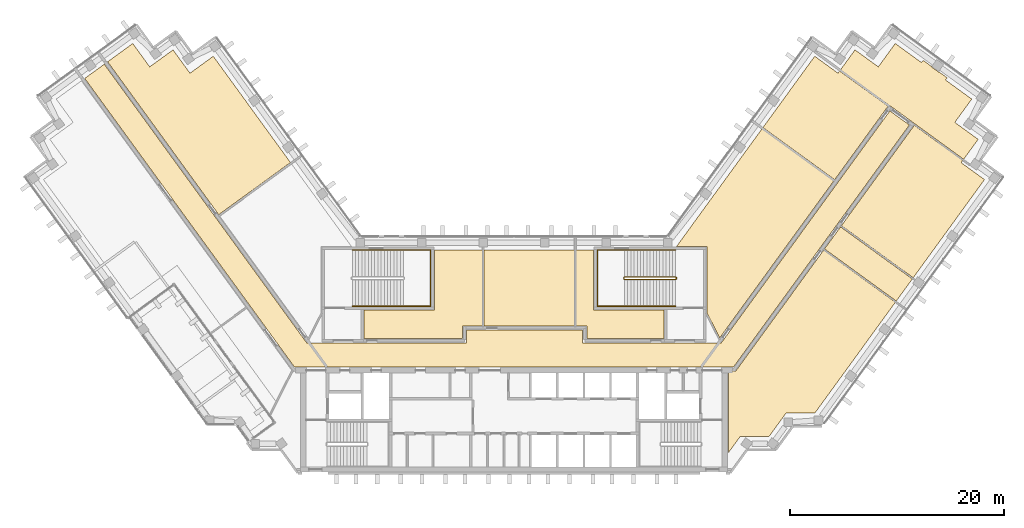
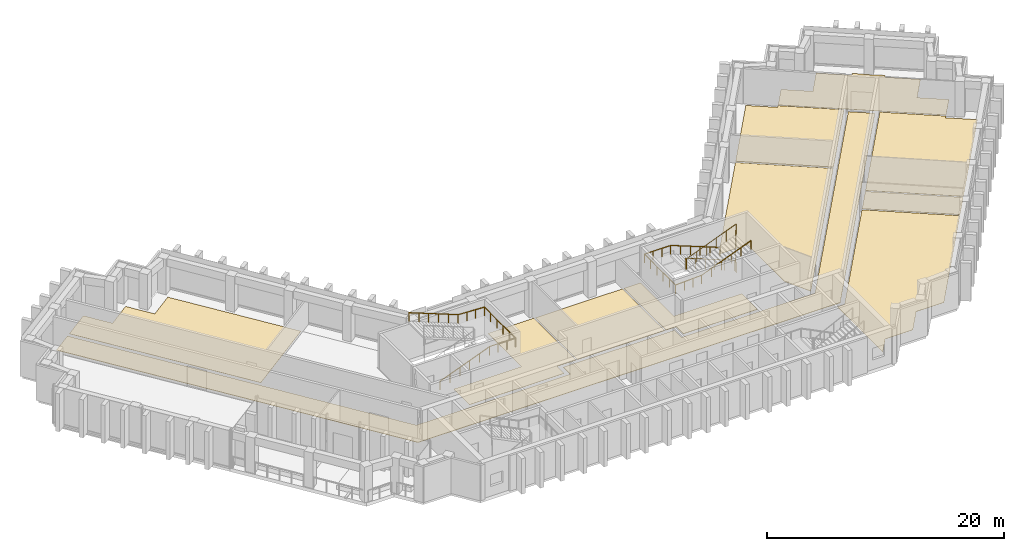
# One storey, part 12 of 12: 11 coverings, 3 railings.
"""IFC4 building model written with IfcOpenShell, lengths in metres."""

from ifc_helpers import new_model, si_unit, direction, frame, origin, origin_2d, place, context, subcontext, project, spatial, polyline, circle, outline, extrude, material, layer, layer_set, type_object, element, save


model = new_model("IFC4")

# Units and contexts
model_context = context("Model", 3, precision=1e-05, world=origin(), true_north=direction((0.0, 1.0)))
body_context = subcontext(model_context, "Body", "Model", "MODEL_VIEW")
ifc_project = project(units=[si_unit("LENGTHUNIT", "METRE"), si_unit("AREAUNIT", "SQUARE_METRE"), si_unit("VOLUMEUNIT", "CUBIC_METRE"), si_unit("PLANEANGLEUNIT", "RADIAN"), si_unit("MASSUNIT", "GRAM", prefix="KILO")], contexts=[model_context])

# Site, building, storey
site_placement = place(None, origin())
site = spatial("IfcSite", under=ifc_project, at=site_placement, CompositionType="ELEMENT")
building_placement = place(site_placement, origin())
building = spatial("IfcBuilding", under=site, at=building_placement, Name="Quipu Civic Tower", CompositionType="ELEMENT")
storey_placement = place(building_placement, frame((0.0, 0.0, 164.0)))
storey = spatial("IfcBuildingStorey", under=building, at=storey_placement, Name="L38", CompositionType="ELEMENT", Elevation=164.0)

# Coverings
ifc_material_1 = material(Name="Carpet tile on raised access floor")
ifc_layer_1 = layer(ifc_material_1, 0.02001953125)
ifc_layer_set_1 = layer_set([ifc_layer_1], Name="Carpet tile on raised access floor")
covering_type_1 = type_object("IfcCoveringType", Name="Carpet tile floor finish 20", PredefinedType="FLOORING", material=ifc_layer_set_1)
covering_1_placement = place(storey_placement, origin())
element("IfcCovering", 1, at=covering_1_placement, inside=storey, type_object=covering_type_1, Name="Carpet tile floor finish 20", PredefinedType="FLOORING", context=body_context, shape_type="SweptSolid", body=[
    extrude(outline(polyline([(15.238037109375, 10.169921875), (23.235107421875, 21.177001953125), (29.9580078125, 16.29296875), (19.27197265625, 1.583984375), (18.070068359375, 3.94189453125), (18.070068359375, 10.1689453125), (15.238037109375, 10.169921875)])), origin(), (0.0, 0.0, 1.0), 0.02001953125),
])
covering_2_placement = place(storey_placement, origin())
element("IfcCovering", 2, at=covering_2_placement, inside=storey, type_object=covering_type_1, Name="Carpet tile floor finish 20", PredefinedType="FLOORING", context=body_context, shape_type="SweptSolid", body=[
    extrude(outline(polyline([(20.070068359375, -9.195068359375), (20.070068359375, -1.52001953125), (20.77490234375, -1.51904296875), (29.0029296875, 9.805908203125), (35.72607421875, 4.922119140625), (28.181884765625, -5.4609375), (25.48193359375, -5.4619140625), (23.89501953125, -7.64599609375), (21.196044921875, -7.64599609375), (20.070068359375, -9.195068359375)])), origin(), (0.0, 0.0, 1.0), 0.02001953125),
])
covering_3_placement = place(storey_placement, origin())
element("IfcCovering", 3, at=covering_3_placement, inside=storey, type_object=covering_type_1, Name="Carpet tile floor finish 20", PredefinedType="FLOORING", context=body_context, shape_type="SweptSolid", body=[
    extrude(outline(polyline([(30.673095703125, 12.10302734375), (37.4990234375, 21.5), (42.0380859375, 18.201904296875), (41.89208984375, 17.9990234375), (44.074951171875, 16.4140625), (37.39599609375, 7.218994140625), (30.673095703125, 12.10302734375)])), origin(), (0.0, 0.0, 1.0), 0.02001953125),
])
covering_4_placement = place(storey_placement, origin())
element("IfcCovering", 4, at=covering_4_placement, inside=storey, type_object=covering_type_1, Name="Carpet tile floor finish 20", PredefinedType="FLOORING", context=body_context, shape_type="SweptSolid", body=[
    extrude(outline(polyline([(-14.030029296875, 1.52001953125), (-14.030029296875, 4.179931640625), (-7.429931640625, 4.180908203125), (-7.429931640625, 9.830078125), (-2.948974609375, 9.830078125), (-2.948974609375, 2.719970703125), (-4.819091796875, 2.719970703125), (-4.820068359375, 1.52001953125), (-14.030029296875, 1.52001953125)])), origin(), (0.0, 0.0, 1.0), 0.02001953125),
])
covering_5_placement = place(storey_placement, origin())
element("IfcCovering", 5, at=covering_5_placement, inside=storey, type_object=covering_type_1, Name="Carpet tile floor finish 20", PredefinedType="FLOORING", context=body_context, shape_type="SweptSolid", body=[
    extrude(outline(polyline([(-2.80908203125, 9.830078125), (5.68798828125, 9.830078125), (5.68798828125, 2.719970703125), (-2.80908203125, 2.719970703125), (-2.80908203125, 9.830078125)])), origin(), (0.0, 0.0, 1.0), 0.02001953125),
])
covering_6_placement = place(storey_placement, origin())
element("IfcCovering", 6, at=covering_6_placement, inside=storey, type_object=covering_type_1, Name="Carpet tile floor finish 20", PredefinedType="FLOORING", context=body_context, shape_type="SweptSolid", body=[
    extrude(outline(polyline([(-38.06689453125, 27.4541015625), (-35.712890625, 29.1640625), (-34.126953125, 26.97998046875), (-31.94091796875, 28.56591796875), (-30.35400390625, 26.383056640625), (-28.169921875, 27.968994140625), (-20.93798828125, 18.013916015625), (-27.660888671875, 13.1298828125), (-38.06689453125, 27.4541015625)])), origin(), (0.0, 0.0, 1.0), 0.02001953125),
])
covering_7_placement = place(storey_placement, origin())
element("IfcCovering", 7, at=covering_7_placement, inside=storey, type_object=covering_type_1, Name="Carpet tile floor finish 20", PredefinedType="FLOORING", context=body_context, shape_type="SweptSolid", body=[
    extrude(outline(polyline([(30.583984375, 26.697021484375), (31.94189453125, 28.56591796875), (34.126953125, 26.97998046875), (35.712890625, 29.1640625), (38.169921875, 27.37890625), (38.324951171875, 27.587890625), (39.0869140625, 27.033935546875), (39.0849609375, 27.030029296875), (39.0830078125, 27.02490234375), (39.08203125, 27.02001953125), (39.08203125, 27.014892578125), (39.08203125, 27.010986328125), (39.0830078125, 27.006103515625), (39.083984375, 27.0009765625), (39.0849609375, 26.99609375), (39.0869140625, 26.991943359375), (39.089111328125, 26.987060546875), (39.092041015625, 26.98291015625), (39.094970703125, 26.97998046875), (39.09912109375, 26.97607421875), (39.10302734375, 26.972900390625), (39.75, 26.5029296875), (39.75390625, 26.5), (39.758056640625, 26.498046875), (39.762939453125, 26.49609375), (39.76806640625, 26.4951171875), (39.77197265625, 26.493896484375), (39.777099609375, 26.492919921875), (39.781982421875, 26.492919921875), (39.787109375, 26.493896484375), (39.7919921875, 26.4951171875), (39.7958984375, 26.49609375), (39.801025390625, 26.498046875), (39.804931640625, 26.5009765625), (39.80908203125, 26.5029296875), (39.81298828125, 26.507080078125), (40.574951171875, 25.952880859375), (40.424072265625, 25.740966796875), (42.881103515625, 23.95703125), (41.2939453125, 21.77294921875), (43.47802734375, 20.18505859375), (42.12109375, 18.31591796875), (30.583984375, 26.697021484375)])), origin(), (0.0, 0.0, 1.0), 0.02001953125),
])
ifc_material_2 = material(Name="Ceramic floor tile")
ifc_layer_2 = layer(ifc_material_2, 0.030029296875)
ifc_layer_set_2 = layer_set([ifc_layer_2], Name="Ceramic floor tile")
covering_type_2 = type_object("IfcCoveringType", Name="Ceramic tile floor finish 30", PredefinedType="FLOORING", material=ifc_layer_set_2)
covering_8_placement = place(storey_placement, origin())
element("IfcCovering", 8, at=covering_8_placement, inside=storey, type_object=covering_type_2, Name="Ceramic tile floor finish 30", PredefinedType="FLOORING", context=body_context, shape_type="SweptSolid", body=[
    extrude(outline(polyline([(29.0859375, 9.9189453125), (30.590087890625, 11.989990234375), (37.31298828125, 7.10595703125), (35.80908203125, 5.034912109375), (29.0859375, 9.9189453125)])), origin(), (0.0, 0.0, 1.0), 0.030029296875),
])
covering_9_placement = place(storey_placement, origin())
element("IfcCovering", 9, at=covering_9_placement, inside=storey, type_object=covering_type_2, Name="Ceramic tile floor finish 30", PredefinedType="FLOORING", context=body_context, shape_type="SweptSolid", body=[
    extrude(outline(polyline([(5.827880859375, 2.719970703125), (5.827880859375, 9.830078125), (7.429931640625, 9.830078125), (7.430908203125, 4.179931640625), (14.030029296875, 4.179931640625), (14.030029296875, 1.52001953125), (6.820068359375, 1.52001953125), (6.820068359375, 2.718994140625), (5.827880859375, 2.719970703125)])), origin(), (0.0, 0.0, 1.0), 0.030029296875),
])
ifc_material_3 = material(Name="Sealed cement screed")
ifc_layer_3 = layer(ifc_material_3, 0.050048828125)
ifc_layer_set_3 = layer_set([ifc_layer_3], Name="Sealed cement screed")
covering_type_3 = type_object("IfcCoveringType", Name="Sealed screed floor finish 50", PredefinedType="FLOORING", material=ifc_layer_set_3)
covering_10_placement = place(storey_placement, origin())
element("IfcCovering", 10, at=covering_10_placement, inside=storey, type_object=covering_type_3, Name="Sealed screed floor finish 50", PredefinedType="FLOORING", context=body_context, shape_type="SweptSolid", body=[
    extrude(outline(polyline([(23.318115234375, 21.2900390625), (28.169921875, 27.968994140625), (30.35302734375, 26.383056640625), (30.5009765625, 26.583984375), (35.0400390625, 23.2880859375), (30.041015625, 16.406005859375), (23.318115234375, 21.2900390625)])), origin(), (0.0, 0.0, 1.0), 0.050048828125),
])

# Railings
ifc_material_4 = material(Name="Stainless steel", Category="steel")
railing_type_1 = type_object("IfcRailingType", Name="Stair guard 1100", PredefinedType="GUARDRAIL", material=ifc_material_4)
railing_1_placement = place(storey_placement, frame((15.14990234375, 7.300048828125, 0.11767578125)))
element("IfcRailing", 11, at=railing_1_placement, inside=storey, type_object=railing_type_1, Name="Stair 4 guard", PredefinedType="GUARDRAIL", context=body_context, shape_type="SweptSolid", body=[
    extrude(circle(Radius=0.02392578125, at=origin_2d()), frame((0.0, 0.0, 1.076171875), z_axis=(-0.930970042603, 0.0, 0.365095576219), x_axis=(0.0, -1.0, 0.0)), (0.0, 0.0, 1.0), 5.15576171875),
    extrude(circle(Radius=0.02392578125, at=origin_2d()), frame((-4.7998046875, 0.0, 2.95849609375), z_axis=(-0.707106781187, -0.707106781187, 0.0), x_axis=(0.707106781187, -0.707106781187, 0.0)), (0.0, 0.0, 1.0), 0.07080078125),
    extrude(circle(Radius=0.02392578125, at=origin_2d()), frame((-4.849853515625, -0.050048828125, 2.95849609375), z_axis=(0.0, -1.0, 0.0), x_axis=(1.0, 0.0, 0.0)), (0.0, 0.0, 1.0), 0.14990234375),
    extrude(circle(Radius=0.02392578125, at=origin_2d()), frame((-4.849853515625, -0.199951171875, 2.95849609375), z_axis=(0.364463019033, -0.364463019033, 0.856932561824), x_axis=(0.707106781187, 0.707106781187, 0.0)), (0.0, 0.0, 1.0), 0.13720703125),
    extrude(circle(Radius=0.02392578125, at=origin_2d()), frame((-4.7998046875, -0.25, 3.076171875), z_axis=(0.930970042603, 0.0, 0.365095576219), x_axis=(0.0, 1.0, 0.0)), (0.0, 0.0, 1.0), 5.15576171875),
    extrude(circle(Radius=0.02392578125, at=origin_2d()), frame((0.0, -0.25, 4.95849609375), z_axis=(0.012495627992, 0.049921557685, -0.998674970829), x_axis=(-0.970072785993, 0.242814311512, 0.0)), (0.0, 0.0, 1.0), 4.00537109375),
    extrude(circle(Radius=0.02392578125, at=origin_2d()), frame((0.050048828125, -0.050048828125, 0.95849609375), z_axis=(0.0, -1.0, 0.0), x_axis=(1.0, 0.0, 0.0)), (0.0, 0.0, 1.0), 0.14990234375),
    extrude(circle(Radius=0.02099609375, at=origin_2d()), origin(), (0.0, 0.0, 1.0), 1.052001953125),
    extrude(circle(Radius=0.02099609375, at=origin_2d()), frame((-0.9599609375, 0.0, 0.37646484375)), (0.0, 0.0, 1.0), 1.052001953125),
    extrude(circle(Radius=0.02099609375, at=origin_2d()), frame((-1.919921875, 0.0, 0.7529296875)), (0.0, 0.0, 1.0), 1.052001953125),
    extrude(circle(Radius=0.02099609375, at=origin_2d()), frame((-2.8798828125, 0.0, 1.12939453125)), (0.0, 0.0, 1.0), 1.052001953125),
    extrude(circle(Radius=0.02099609375, at=origin_2d()), frame((-3.83984375, 0.0, 1.505859375)), (0.0, 0.0, 1.0), 1.052001953125),
    extrude(circle(Radius=0.02099609375, at=origin_2d()), frame((-4.7998046875, 0.0, 1.88232421875)), (0.0, 0.0, 1.0), 1.052001953125),
    extrude(circle(Radius=0.02099609375, at=origin_2d()), frame((-4.849853515625, -0.050048828125, 1.88232421875)), (0.0, 0.0, 1.0), 1.052001953125),
    extrude(circle(Radius=0.02099609375, at=origin_2d()), frame((-4.849853515625, -0.199951171875, 1.88232421875)), (0.0, 0.0, 1.0), 1.052001953125),
    extrude(circle(Radius=0.02099609375, at=origin_2d()), frame((-4.7998046875, -0.25, 2.0)), (0.0, 0.0, 1.0), 1.052001953125),
    extrude(circle(Radius=0.02099609375, at=origin_2d()), frame((-3.83984375, -0.25, 2.37646484375)), (0.0, 0.0, 1.0), 1.052001953125),
    extrude(circle(Radius=0.02099609375, at=origin_2d()), frame((-2.8798828125, -0.25, 2.7529296875)), (0.0, 0.0, 1.0), 1.052001953125),
    extrude(circle(Radius=0.02099609375, at=origin_2d()), frame((-1.919921875, -0.25, 3.12939453125)), (0.0, 0.0, 1.0), 1.052001953125),
    extrude(circle(Radius=0.02099609375, at=origin_2d()), frame((-0.9599609375, -0.25, 3.505859375)), (0.0, 0.0, 1.0), 1.052001953125),
    extrude(circle(Radius=0.02099609375, at=origin_2d()), frame((0.0, -0.25, 3.88232421875)), (0.0, 0.0, 1.0), 1.052001953125),
    extrude(circle(Radius=0.02099609375, at=origin_2d()), frame((0.012451171875, -0.199951171875, 2.88232421875)), (0.0, 0.0, 1.0), 1.052001953125),
    extrude(circle(Radius=0.02099609375, at=origin_2d()), frame((0.02490234375, -0.14990234375, 1.88232421875)), (0.0, 0.0, 1.0), 1.052001953125),
    extrude(circle(Radius=0.02099609375, at=origin_2d()), frame((0.03759765625, -0.10009765625, 0.88232421875)), (0.0, 0.0, 1.0), 1.052001953125),
    extrude(circle(Radius=0.02099609375, at=origin_2d()), frame((0.050048828125, -0.050048828125, -0.11767578125)), (0.0, 0.0, 1.0), 1.052001953125),
    extrude(circle(Radius=0.02099609375, at=origin_2d()), frame((0.050048828125, -0.199951171875, -0.11767578125)), (0.0, 0.0, 1.0), 1.052001953125),
])
ifc_material_5 = material(Name="Stainless steel", Category="steel")
railing_type_2 = type_object("IfcRailingType", Name="Stair handrail", PredefinedType="HANDRAIL", material=ifc_material_5)
railing_2_placement = place(storey_placement, frame((-15.14990234375, 4.550048828125, 0.11767578125)))
element("IfcRailing", 12, at=railing_2_placement, inside=storey, type_object=railing_type_2, Name="Stair 3 handrail", PredefinedType="HANDRAIL", context=body_context, shape_type="SweptSolid", body=[
    extrude(circle(Radius=0.02392578125, at=origin_2d()), frame((0.0, 0.0, 0.8759765625), z_axis=(0.930970042603, 0.0, 0.365095576219), x_axis=(0.0, 1.0, 0.0)), (0.0, 0.0, 1.0), 5.15576171875),
    extrude(circle(Radius=0.02392578125, at=origin_2d()), frame((4.7998046875, 0.0, 2.75830078125), z_axis=(1.0, 0.0, 0.0), x_axis=(0.0, 1.0, 0.0)), (0.0, 0.0, 1.0), 2.550048828125),
    extrude(circle(Radius=0.02392578125, at=origin_2d()), frame((7.349853515625, 0.0, 2.75830078125), z_axis=(0.0, 1.0, 0.0), x_axis=(-1.0, 0.0, 0.0)), (0.0, 0.0, 1.0), 5.25),
    extrude(circle(Radius=0.02392578125, at=origin_2d()), frame((7.349853515625, 5.25, 2.75830078125), z_axis=(-0.998936948642, 0.0, 0.04609742549), x_axis=(0.0, -1.0, 0.0)), (0.0, 0.0, 1.0), 2.552734375),
    extrude(circle(Radius=0.02392578125, at=origin_2d()), frame((4.7998046875, 5.25, 2.8759765625), z_axis=(-0.930970042603, 0.0, 0.365095576219), x_axis=(0.0, -1.0, 0.0)), (0.0, 0.0, 1.0), 5.15576171875),
    extrude(circle(Radius=0.02099609375, at=origin_2d()), origin(), (0.0, 0.0, 1.0), 0.851806640625),
    extrude(circle(Radius=0.02099609375, at=origin_2d()), frame((0.9599609375, 0.0, 0.37646484375)), (0.0, 0.0, 1.0), 0.851806640625),
    extrude(circle(Radius=0.02099609375, at=origin_2d()), frame((1.919921875, 0.0, 0.7529296875)), (0.0, 0.0, 1.0), 0.851806640625),
    extrude(circle(Radius=0.02099609375, at=origin_2d()), frame((2.8798828125, 0.0, 1.12939453125)), (0.0, 0.0, 1.0), 0.851806640625),
    extrude(circle(Radius=0.02099609375, at=origin_2d()), frame((3.83984375, 0.0, 1.505859375)), (0.0, 0.0, 1.0), 0.851806640625),
    extrude(circle(Radius=0.02099609375, at=origin_2d()), frame((4.7998046875, 0.0, 1.88232421875)), (0.0, 0.0, 1.0), 0.851806640625),
    extrude(circle(Radius=0.02099609375, at=origin_2d()), frame((5.64990234375, 0.0, 1.88232421875)), (0.0, 0.0, 1.0), 0.851806640625),
    extrude(circle(Radius=0.02099609375, at=origin_2d()), frame((6.499755859375, 0.0, 1.88232421875)), (0.0, 0.0, 1.0), 0.851806640625),
    extrude(circle(Radius=0.02099609375, at=origin_2d()), frame((7.349853515625, 0.0, 1.88232421875)), (0.0, 0.0, 1.0), 0.851806640625),
    extrude(circle(Radius=0.02099609375, at=origin_2d()), frame((7.349853515625, 1.050048828125, 1.88232421875)), (0.0, 0.0, 1.0), 0.851806640625),
    extrude(circle(Radius=0.02099609375, at=origin_2d()), frame((7.349853515625, 2.10009765625, 1.88232421875)), (0.0, 0.0, 1.0), 0.851806640625),
    extrude(circle(Radius=0.02099609375, at=origin_2d()), frame((7.349853515625, 3.14990234375, 1.88232421875)), (0.0, 0.0, 1.0), 0.851806640625),
    extrude(circle(Radius=0.02099609375, at=origin_2d()), frame((7.349853515625, 4.199951171875, 1.88232421875)), (0.0, 0.0, 1.0), 0.851806640625),
    extrude(circle(Radius=0.02099609375, at=origin_2d()), frame((7.349853515625, 5.25, 1.88232421875)), (0.0, 0.0, 1.0), 0.851806640625),
    extrude(circle(Radius=0.02099609375, at=origin_2d()), frame((6.499755859375, 5.25, 1.921630859375)), (0.0, 0.0, 1.0), 0.851806640625),
    extrude(circle(Radius=0.02099609375, at=origin_2d()), frame((5.64990234375, 5.25, 1.960693359375)), (0.0, 0.0, 1.0), 0.851806640625),
    extrude(circle(Radius=0.02099609375, at=origin_2d()), frame((4.7998046875, 5.25, 2.0)), (0.0, 0.0, 1.0), 0.851806640625),
    extrude(circle(Radius=0.02099609375, at=origin_2d()), frame((3.83984375, 5.25, 2.37646484375)), (0.0, 0.0, 1.0), 0.851806640625),
    extrude(circle(Radius=0.02099609375, at=origin_2d()), frame((2.8798828125, 5.25, 2.7529296875)), (0.0, 0.0, 1.0), 0.851806640625),
    extrude(circle(Radius=0.02099609375, at=origin_2d()), frame((1.919921875, 5.25, 3.12939453125)), (0.0, 0.0, 1.0), 0.851806640625),
    extrude(circle(Radius=0.02099609375, at=origin_2d()), frame((0.9599609375, 5.25, 3.505859375)), (0.0, 0.0, 1.0), 0.851806640625),
    extrude(circle(Radius=0.02099609375, at=origin_2d()), frame((0.0, 5.25, 3.88232421875)), (0.0, 0.0, 1.0), 0.851806640625),
])
railing_3_placement = place(storey_placement, frame((15.14990234375, 9.800048828125, 0.11767578125)))
element("IfcRailing", 13, at=railing_3_placement, inside=storey, type_object=railing_type_2, Name="Stair 4 handrail", PredefinedType="HANDRAIL", context=body_context, shape_type="SweptSolid", body=[
    extrude(circle(Radius=0.02392578125, at=origin_2d()), frame((0.0, 0.0, 0.8759765625), z_axis=(-0.930970042603, 0.0, 0.365095576219), x_axis=(0.0, -1.0, 0.0)), (0.0, 0.0, 1.0), 5.15576171875),
    extrude(circle(Radius=0.02392578125, at=origin_2d()), frame((-4.7998046875, 0.0, 2.75830078125), z_axis=(-1.0, 0.0, 0.0), x_axis=(0.0, -1.0, 0.0)), (0.0, 0.0, 1.0), 2.550048828125),
    extrude(circle(Radius=0.02392578125, at=origin_2d()), frame((-7.349853515625, 0.0, 2.75830078125), z_axis=(0.0, -1.0, 0.0), x_axis=(1.0, 0.0, 0.0)), (0.0, 0.0, 1.0), 5.25),
    extrude(circle(Radius=0.02392578125, at=origin_2d()), frame((-7.349853515625, -5.25, 2.75830078125), z_axis=(0.998936948642, 0.0, 0.04609742549), x_axis=(0.0, 1.0, 0.0)), (0.0, 0.0, 1.0), 2.552734375),
    extrude(circle(Radius=0.02392578125, at=origin_2d()), frame((-4.7998046875, -5.25, 2.8759765625), z_axis=(0.930970042603, 0.0, 0.365095576219), x_axis=(0.0, 1.0, 0.0)), (0.0, 0.0, 1.0), 5.15576171875),
    extrude(circle(Radius=0.02099609375, at=origin_2d()), origin(), (0.0, 0.0, 1.0), 0.851806640625),
    extrude(circle(Radius=0.02099609375, at=origin_2d()), frame((-0.9599609375, 0.0, 0.37646484375)), (0.0, 0.0, 1.0), 0.851806640625),
    extrude(circle(Radius=0.02099609375, at=origin_2d()), frame((-1.919921875, 0.0, 0.7529296875)), (0.0, 0.0, 1.0), 0.851806640625),
    extrude(circle(Radius=0.02099609375, at=origin_2d()), frame((-2.8798828125, 0.0, 1.12939453125)), (0.0, 0.0, 1.0), 0.851806640625),
    extrude(circle(Radius=0.02099609375, at=origin_2d()), frame((-3.83984375, 0.0, 1.505859375)), (0.0, 0.0, 1.0), 0.851806640625),
    extrude(circle(Radius=0.02099609375, at=origin_2d()), frame((-4.7998046875, 0.0, 1.88232421875)), (0.0, 0.0, 1.0), 0.851806640625),
    extrude(circle(Radius=0.02099609375, at=origin_2d()), frame((-5.64990234375, 0.0, 1.88232421875)), (0.0, 0.0, 1.0), 0.851806640625),
    extrude(circle(Radius=0.02099609375, at=origin_2d()), frame((-6.499755859375, 0.0, 1.88232421875)), (0.0, 0.0, 1.0), 0.851806640625),
    extrude(circle(Radius=0.02099609375, at=origin_2d()), frame((-7.349853515625, 0.0, 1.88232421875)), (0.0, 0.0, 1.0), 0.851806640625),
    extrude(circle(Radius=0.02099609375, at=origin_2d()), frame((-7.349853515625, -1.050048828125, 1.88232421875)), (0.0, 0.0, 1.0), 0.851806640625),
    extrude(circle(Radius=0.02099609375, at=origin_2d()), frame((-7.349853515625, -2.10009765625, 1.88232421875)), (0.0, 0.0, 1.0), 0.851806640625),
    extrude(circle(Radius=0.02099609375, at=origin_2d()), frame((-7.349853515625, -3.14990234375, 1.88232421875)), (0.0, 0.0, 1.0), 0.851806640625),
    extrude(circle(Radius=0.02099609375, at=origin_2d()), frame((-7.349853515625, -4.199951171875, 1.88232421875)), (0.0, 0.0, 1.0), 0.851806640625),
    extrude(circle(Radius=0.02099609375, at=origin_2d()), frame((-7.349853515625, -5.25, 1.88232421875)), (0.0, 0.0, 1.0), 0.851806640625),
    extrude(circle(Radius=0.02099609375, at=origin_2d()), frame((-6.499755859375, -5.25, 1.921630859375)), (0.0, 0.0, 1.0), 0.851806640625),
    extrude(circle(Radius=0.02099609375, at=origin_2d()), frame((-5.64990234375, -5.25, 1.960693359375)), (0.0, 0.0, 1.0), 0.851806640625),
    extrude(circle(Radius=0.02099609375, at=origin_2d()), frame((-4.7998046875, -5.25, 2.0)), (0.0, 0.0, 1.0), 0.851806640625),
    extrude(circle(Radius=0.02099609375, at=origin_2d()), frame((-3.83984375, -5.25, 2.37646484375)), (0.0, 0.0, 1.0), 0.851806640625),
    extrude(circle(Radius=0.02099609375, at=origin_2d()), frame((-2.8798828125, -5.25, 2.7529296875)), (0.0, 0.0, 1.0), 0.851806640625),
    extrude(circle(Radius=0.02099609375, at=origin_2d()), frame((-1.919921875, -5.25, 3.12939453125)), (0.0, 0.0, 1.0), 0.851806640625),
    extrude(circle(Radius=0.02099609375, at=origin_2d()), frame((-0.9599609375, -5.25, 3.505859375)), (0.0, 0.0, 1.0), 0.851806640625),
    extrude(circle(Radius=0.02099609375, at=origin_2d()), frame((0.0, -5.25, 3.88232421875)), (0.0, 0.0, 1.0), 0.851806640625),
])

# Covering
ifc_material_6 = material(Name="Terrazzo floor finish")
ifc_layer_4 = layer(ifc_material_6, 0.0400390625)
ifc_layer_set_4 = layer_set([ifc_layer_4], Name="Terrazzo floor finish")
covering_type_4 = type_object("IfcCoveringType", Name="Terrazzo floor finish 40", PredefinedType="FLOORING", material=ifc_layer_set_4)
covering_11_placement = place(storey_placement, origin())
element("IfcCovering", 14, at=covering_11_placement, inside=storey, type_object=covering_type_4, Name="Terrazzo floor finish 40", PredefinedType="FLOORING", context=body_context, shape_type="SweptSolid", body=[
    extrude(outline(polyline([(6.429931640625, 1.1298828125), (19.425048828125, 1.1298828125), (35.208984375, 22.85498046875), (37.037109375, 21.527099609375), (20.574951171875, -1.1298828125), (-20.574951171875, -1.1298828125), (-40.2109375, 25.89599609375), (-38.382080078125, 27.22412109375), (-19.425048828125, 1.1298828125), (-4.429931640625, 1.1298828125), (-4.429931640625, 2.330078125), (6.429931640625, 2.330078125), (6.429931640625, 1.1298828125)])), origin(), (0.0, 0.0, 1.0), 0.0400390625),
])

save(model, "model.ifc")
